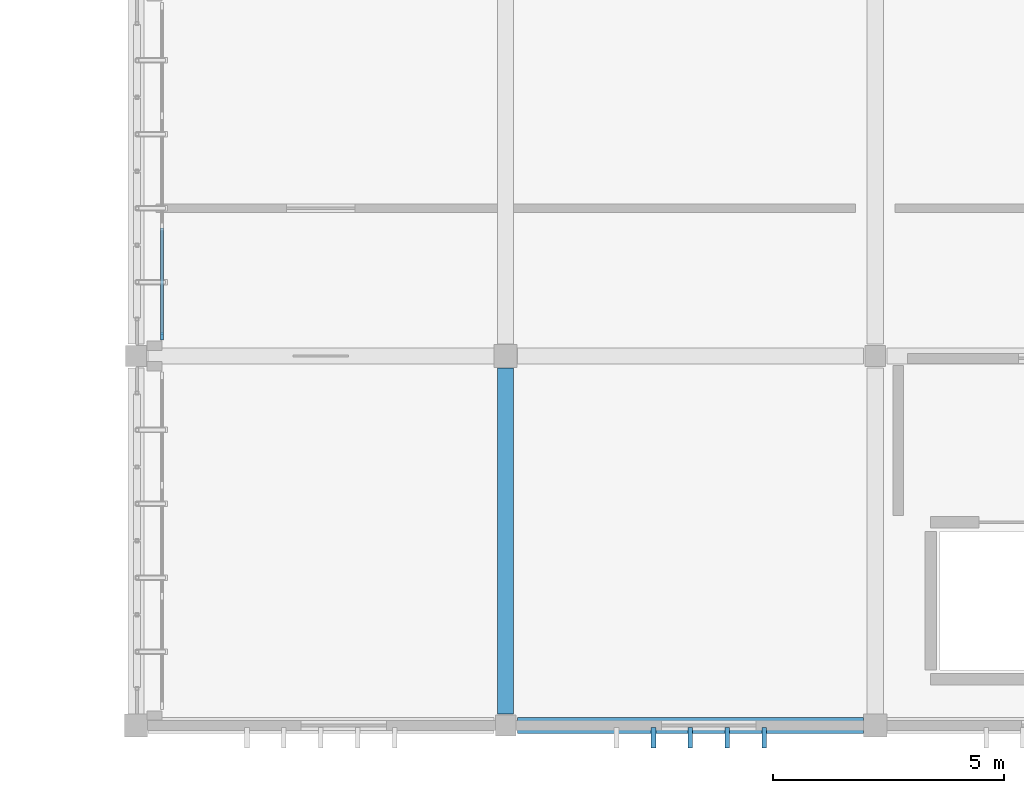
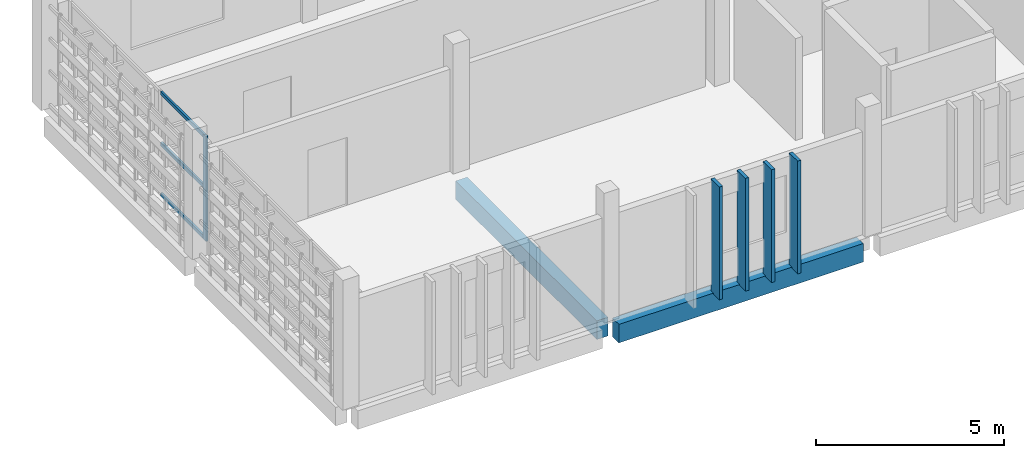
# One storey, part 7 of 32: 8 members, 2 beams, 1 element without a shape of its own.
"""IFC4 building model written with IfcOpenShell, lengths in metres."""

from ifc_helpers import new_model, si_unit, direction, frame, origin, origin_2d, place, context, subcontext, project, spatial, rectangle, extrude, material, layer, layer_set, material_profile, profile_set, type_object, element, aggregate, save


model = new_model("IFC4")

# Units and contexts
model_context = context("Model", 3, precision=1e-05, world=origin(), true_north=direction((0.0, 1.0)))
body_context = subcontext(model_context, "Body", "Model", "MODEL_VIEW")
ifc_project = project(units=[si_unit("LENGTHUNIT", "METRE"), si_unit("AREAUNIT", "SQUARE_METRE"), si_unit("VOLUMEUNIT", "CUBIC_METRE"), si_unit("PLANEANGLEUNIT", "RADIAN"), si_unit("MASSUNIT", "GRAM", prefix="KILO")], contexts=[model_context])

# Site, building, storey
site_placement = place(None, origin())
site = spatial("IfcSite", under=ifc_project, at=site_placement, CompositionType="ELEMENT")
building_placement = place(site_placement, origin())
building = spatial("IfcBuilding", under=site, at=building_placement, Name="Jelvoka-Kovrelna Polytechnic", CompositionType="ELEMENT")
storey_placement = place(building_placement, frame((0.0, 0.0, 26.39990234375)))
storey = spatial("IfcBuildingStorey", under=building, at=storey_placement, Name="L07", CompositionType="ELEMENT", Elevation=26.39990234375)

# Beam
ifc_material_1 = material(Name="Concrete C35/45", Category="concrete")
ifc_material_profile_1 = material_profile(ifc_material_1, rectangle(XDim=0.35009765625, YDim=0.60009765625, at=origin_2d()), Name="RC 350x600")
ifc_profile_set_1 = profile_set([ifc_material_profile_1], Name="Concrete C35/45")
beam_type_1 = type_object("IfcBeamType", Name="Beam_RC_350x600", PredefinedType="BEAM", material=ifc_profile_set_1)
beam_1_placement = place(storey_placement, frame((136.0, 32.2548828125, -0.539794921875), z_axis=(0.0, 1.0, 0.0), x_axis=(-1.0, 0.0, 0.0)))
element("IfcBeam", 1, at=beam_1_placement, inside=storey, type_object=beam_type_1, Name="L07 beam 1813", PredefinedType="BEAM", context=body_context, shape_type="SweptSolid", body=[
    extrude(rectangle(XDim=0.35009765625, YDim=0.60009765625, at=origin_2d()), origin(), (0.0, 0.0, 1.0), 7.490234375),
])

# Members
ifc_material_2 = material(Name="Precast concrete C40/50", Category="concrete")
ifc_material_profile_2 = material_profile(ifc_material_2, rectangle(XDim=0.10009765625, YDim=0.449951171875, at=origin_2d()), Name="PC 100x450")
ifc_profile_set_2 = profile_set([ifc_material_profile_2], Name="Precast concrete C40/50")
member_type_1 = type_object("IfcMemberType", Name="Louvre_Fin_100x450", PredefinedType="USERDEFINED", material=ifc_profile_set_2)
for number, where, z_axis, x_axis, name in (
    (2, (139.199951171875, 31.735107421875, -0.27001953125), (0.0, 0.0, 1.0), (1.0, 0.0, 0.0), "L07 B2E south vertical solar louvre fin 1162"),
    (3, (140.0, 31.735107421875, -0.27001953125), (0.0, 0.0, 1.0), (1.0, 0.0, 0.0), "L07 B2E south vertical solar louvre fin 1163"),
    (4, (140.800048828125, 31.735107421875, -0.27001953125), (0.0, 0.0, 1.0), (1.0, 0.0, 0.0), "L07 B2E south vertical solar louvre fin 1164"),
    (5, (141.60009765625, 31.735107421875, -0.27001953125), (0.0, 0.0, 1.0), (1.0, 0.0, 0.0), "L07 B2E south vertical solar louvre fin 1165"),
):
    element("IfcMember", number, at=place(storey_placement, frame(where, z_axis=z_axis, x_axis=x_axis)), inside=storey, type_object=member_type_1, Name=name, ObjectType="SUNSHADE", PredefinedType="USERDEFINED", context=body_context, shape_type="SweptSolid", body=[
        extrude(rectangle(XDim=0.10009765625, YDim=0.449951171875, at=origin_2d()), origin(), (0.0, 0.0, 1.0), 3.655029296875),
    ])

# Curtain wall, member
ifc_material_3 = material(Name="Anodised aluminium 6063-T6", Category="aluminium")
ifc_layer = layer(ifc_material_3, 0.159912109375)
ifc_layer_set = layer_set([ifc_layer], Name="Anodised aluminium 6063-T6")
curtain_wall_type = type_object("IfcCurtainWallType", Name="CW_Recessed_A", PredefinedType="NOTDEFINED", material=ifc_layer_set)
curtain_wall_placement = place(storey_placement, origin())
curtain_wall = element("IfcCurtainWall", 6, at=curtain_wall_placement, inside=storey, type_object=curtain_wall_type, Name="L07 glazed curtain wall 079", PredefinedType="NOTDEFINED")
ifc_material_4 = material(Name="Anodised aluminium 6063-T6", Category="aluminium")
ifc_material_profile_3 = material_profile(ifc_material_4, rectangle(XDim=0.06005859375, YDim=0.159912109375, at=origin_2d()), Name="ALU 60x160")
ifc_profile_set_3 = profile_set([ifc_material_profile_3], Name="Anodised aluminium 6063-T6")
member_type_2 = type_object("IfcMemberType", Name="Mullion_M-01", PredefinedType="MULLION", material=ifc_profile_set_3)
member_1_placement = place(storey_placement, frame((128.56005859375, 40.429931640625, -0.02490234375), z_axis=(0.0, 0.0, 1.0), x_axis=(-1.0, 0.0, 0.0)))
member_1 = element("IfcMember", 7, at=member_1_placement, type_object=member_type_2, Name="CW-01 mullion 1", PredefinedType="MULLION", context=body_context, shape_type="SweptSolid", body=[
    extrude(rectangle(XDim=0.06005859375, YDim=0.159912109375, at=origin_2d()), origin(), (0.0, 0.0, 1.0), 3.400146484375),
])

# Beam
ifc_material_5 = material(Name="Concrete C40/50", Category="concrete")
ifc_material_profile_4 = material_profile(ifc_material_5, rectangle(XDim=0.35009765625, YDim=0.60009765625, at=origin_2d()), Name="RC 350x600")
ifc_profile_set_4 = profile_set([ifc_material_profile_4], Name="Concrete C40/50")
beam_type_2 = type_object("IfcBeamType", Name="Spandrel_RC_350x600", PredefinedType="SPANDREL", material=ifc_profile_set_4)
beam_2_placement = place(storey_placement, frame((136.2548828125, 32.0, -0.539794921875), z_axis=(1.0, 0.0, 0.0), x_axis=(0.0, 1.0, 0.0)))
element("IfcBeam", 8, at=beam_2_placement, inside=storey, type_object=beam_type_2, Name="L07 beam 1792", PredefinedType="SPANDREL", context=body_context, shape_type="SweptSolid", body=[
    extrude(rectangle(XDim=0.35009765625, YDim=0.60009765625, at=origin_2d()), origin(), (0.0, 0.0, 1.0), 7.490234375),
])

# Member
ifc_material_6 = material(Name="Anodised aluminium 6063-T6", Category="aluminium")
ifc_material_profile_5 = material_profile(ifc_material_6, rectangle(XDim=0.06005859375, YDim=0.1201171875, at=origin_2d()), Name="ALU 60x120")
ifc_profile_set_5 = profile_set([ifc_material_profile_5], Name="Anodised aluminium 6063-T6")
member_type_3 = type_object("IfcMemberType", Name="Transom_T-01", PredefinedType="USERDEFINED", material=ifc_profile_set_5)
member_2_placement = place(storey_placement, frame((128.56005859375, 40.4599609375, 0.030029296875), z_axis=(0.0, 1.0, 0.0), x_axis=(-1.0, 0.0, 0.0)))
member_2 = element("IfcMember", 9, at=member_2_placement, type_object=member_type_3, Name="CW-01 transom 1.1", ObjectType="TRANSOM", PredefinedType="USERDEFINED", context=body_context, shape_type="SweptSolid", body=[
    extrude(rectangle(XDim=0.06005859375, YDim=0.1201171875, at=origin_2d()), origin(), (0.0, 0.0, 1.0), 2.31005859375),
])

member_3_placement = place(storey_placement, frame((128.56005859375, 40.4599609375, 1.675048828125), z_axis=(0.0, 1.0, 0.0), x_axis=(-1.0, 0.0, 0.0)))
member_3 = element("IfcMember", 10, at=member_3_placement, type_object=member_type_3, Name="CW-01 transom 1.2", ObjectType="TRANSOM", PredefinedType="USERDEFINED", context=body_context, shape_type="SweptSolid", body=[
    extrude(rectangle(XDim=0.06005859375, YDim=0.1201171875, at=origin_2d()), origin(), (0.0, 0.0, 1.0), 2.31005859375),
])

member_4_placement = place(storey_placement, frame((128.56005859375, 40.4599609375, 3.320068359375), z_axis=(0.0, 1.0, 0.0), x_axis=(-1.0, 0.0, 0.0)))
member_4 = element("IfcMember", 11, at=member_4_placement, type_object=member_type_3, Name="CW-01 transom 1.3", ObjectType="TRANSOM", PredefinedType="USERDEFINED", context=body_context, shape_type="SweptSolid", body=[
    extrude(rectangle(XDim=0.06005859375, YDim=0.1201171875, at=origin_2d()), origin(), (0.0, 0.0, 1.0), 2.31005859375),
])

aggregate(curtain_wall, [member_1, member_2, member_3, member_4])

save(model, "model.ifc")
